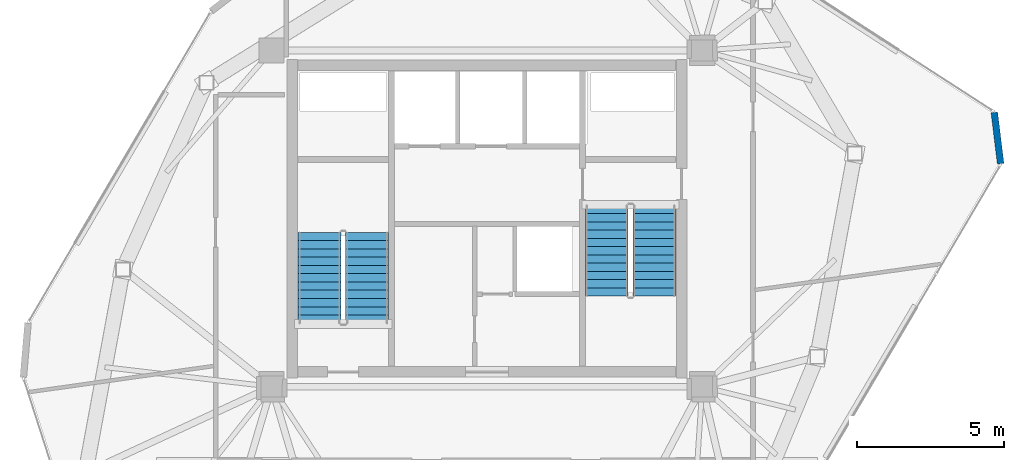
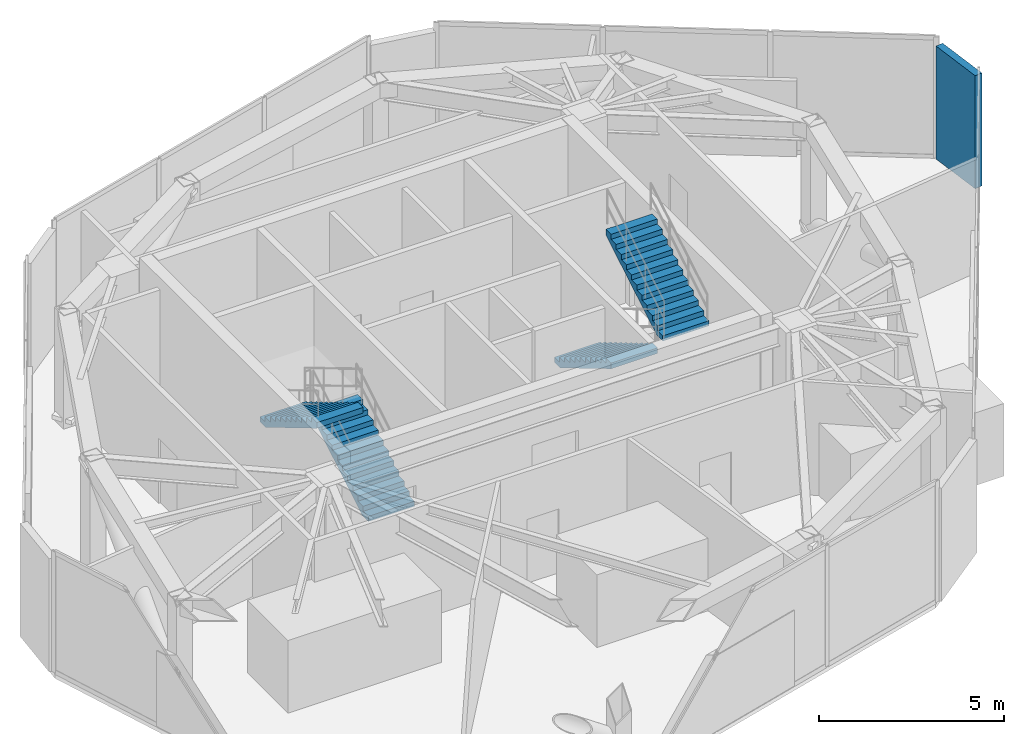
# One storey, part 17 of 19: 4 stair flights, 1 wall, 2 elements without a shape of their own.
"""IFC4 building model written with IfcOpenShell, lengths in metres."""

from ifc_helpers import new_model, si_unit, direction, frame, frame_2d, origin, place, context, subcontext, project, spatial, polyline, rectangle, outline, extrude, material, layer, layer_set, type_object, element, aggregate, save


model = new_model("IFC4")

# Units and contexts
model_context = context("Model", 3, precision=1e-05, world=origin(), true_north=direction((0.0, 1.0)))
body_context = subcontext(model_context, "Body", "Model", "MODEL_VIEW")
ifc_project = project(units=[si_unit("LENGTHUNIT", "METRE"), si_unit("AREAUNIT", "SQUARE_METRE"), si_unit("VOLUMEUNIT", "CUBIC_METRE"), si_unit("PLANEANGLEUNIT", "RADIAN"), si_unit("MASSUNIT", "GRAM", prefix="KILO")], contexts=[model_context])

# Site, building, storey
site_placement = place(None, origin())
site = spatial("IfcSite", under=ifc_project, at=site_placement, CompositionType="ELEMENT")
building_placement = place(site_placement, origin())
building = spatial("IfcBuilding", under=site, at=building_placement, Name="Talar Marvaseh", CompositionType="ELEMENT")
storey_placement = place(building_placement, frame((0.0, 0.0, 296.0)))
storey = spatial("IfcBuildingStorey", under=building, at=storey_placement, Name="L79", CompositionType="ELEMENT", Elevation=296.0)

# Wall
ifc_material_1 = material(Name="Precast concrete C45/55", Category="concrete")
ifc_layer_1 = layer(ifc_material_1, 0.22509765625)
ifc_layer_set_1 = layer_set([ifc_layer_1], Name="Precast concrete C45/55")
wall_type = type_object("IfcWallType", Name="Chamfered Hexagonal Corner Pier Wall Z4 225", PredefinedType="SOLIDWALL", material=ifc_layer_set_1)
wall_placement = place(storey_placement, frame((43.2021484375, 34.799072265625, 0.0), z_axis=(0.0, 0.0, 1.0), x_axis=(0.12318008734, -0.992384333856, 0.0)))
element("IfcWall", 1, at=wall_placement, inside=storey, type_object=wall_type, Name="L79 Chamfered Corner Limestone Pier 5", PredefinedType="SOLIDWALL", context=body_context, shape_type="SweptSolid", body=[
    extrude(rectangle(XDim=1.758056640625, YDim=0.22509765625, at=frame_2d((0.87890625, 0.0))), origin(), (0.0, 0.0, 1.0), 3.739990234375),
])

# Stair, stair flights
ifc_material_2 = material(Name="Concrete C40/50", Category="concrete")
stair_type = type_object("IfcStairType", Name="Reinforced Concrete High-Rise Exit Stair Type C", PredefinedType="HALF_TURN_STAIR", material=ifc_material_2)
stair_1_placement = place(storey_placement, origin())
stair_1 = element("IfcStair", 2, at=stair_1_placement, inside=storey, type_object=stair_type, Name="L79 Tower West Core Exit Stair", PredefinedType="HALF_TURN_STAIR")
ifc_layer_2 = layer(ifc_material_2, 0.159912109375)
ifc_layer_set_2 = layer_set([ifc_layer_2], Name="Concrete C40/50")
stair_flight_type = type_object("IfcStairFlightType", Name="Reinforced Concrete Straight Stair Flight 160", PredefinedType="STRAIGHT", material=ifc_layer_set_2)
stair_flight_1_placement = place(storey_placement, frame((21.93505859375, 27.64990234375, 0.0), z_axis=(0.0, 0.0, 1.0), x_axis=(0.0, 1.0, 0.0)))
stair_flight_1 = element("IfcStairFlight", 3, at=stair_flight_1_placement, type_object=stair_flight_type, Name="ST-1 flight 1", NumberOfRisers=12, NumberOfTreads=11, PredefinedType="STRAIGHT", RiserHeight=0.166666667, TreadLength=0.28, context=body_context, shape_type="SweptSolid", body=[
    extrude(outline(polyline([(0.0, 0.0), (0.0, 0.166748046875), (0.280029296875, 0.166748046875), (0.280029296875, 0.333251953125), (0.56005859375, 0.333251953125), (0.56005859375, 0.5), (0.840087890625, 0.5), (0.840087890625, 0.666748046875), (1.1201171875, 0.666748046875), (1.1201171875, 0.833251953125), (1.39990234375, 0.833251953125), (1.39990234375, 1.0), (1.679931640625, 1.0), (1.679931640625, 1.166748046875), (1.9599609375, 1.166748046875), (1.9599609375, 1.333251953125), (2.239990234375, 1.333251953125), (2.239990234375, 1.5), (2.52001953125, 1.5), (2.52001953125, 1.666748046875), (2.800048828125, 1.666748046875), (2.800048828125, 1.833251953125), (3.080078125, 1.833251953125), (3.080078125, 2.0), (3.080078125, 1.647216796875), (0.312744140625, 0.0), (0.0, 0.0)])), frame((0.0, 0.72509765625, 0.0), z_axis=(0.0, -1.0, 0.0), x_axis=(1.0, 0.0, 0.0)), (0.0, 0.0, 1.0), 1.449951171875),
])
stair_flight_2_placement = place(storey_placement, frame((20.324951171875, 30.72998046875, 2.0), z_axis=(0.0, 0.0, 1.0), x_axis=(0.0, -1.0, 0.0)))
stair_flight_2 = element("IfcStairFlight", 4, at=stair_flight_2_placement, type_object=stair_flight_type, Name="ST-1 flight 2", NumberOfRisers=12, NumberOfTreads=11, PredefinedType="STRAIGHT", RiserHeight=0.166666667, TreadLength=0.28, context=body_context, shape_type="SweptSolid", body=[
    extrude(outline(polyline([(0.0, 0.0), (0.0, 0.166748046875), (0.280029296875, 0.166748046875), (0.280029296875, 0.333251953125), (0.56005859375, 0.333251953125), (0.56005859375, 0.5), (0.840087890625, 0.5), (0.840087890625, 0.666748046875), (1.1201171875, 0.666748046875), (1.1201171875, 0.833251953125), (1.39990234375, 0.833251953125), (1.39990234375, 1.0), (1.679931640625, 1.0), (1.679931640625, 1.166748046875), (1.9599609375, 1.166748046875), (1.9599609375, 1.333251953125), (2.239990234375, 1.333251953125), (2.239990234375, 1.5), (2.52001953125, 1.5), (2.52001953125, 1.666748046875), (2.800048828125, 1.666748046875), (2.800048828125, 1.833251953125), (3.080078125, 1.833251953125), (3.080078125, 2.0), (3.080078125, 1.647216796875), (0.312744140625, 0.0), (0.0, 0.0)])), frame((0.0, 0.72509765625, 0.0), z_axis=(0.0, -1.0, 0.0), x_axis=(1.0, 0.0, 0.0)), (0.0, 0.0, 1.0), 1.449951171875),
])
aggregate(stair_1, [stair_flight_1, stair_flight_2])

stair_2_placement = place(storey_placement, origin())
stair_2 = element("IfcStair", 5, at=stair_2_placement, inside=storey, type_object=stair_type, Name="L79 Tower East Core Exit Stair", PredefinedType="HALF_TURN_STAIR")
stair_flight_3_placement = place(storey_placement, frame((30.06494140625, 31.64990234375, 0.0), z_axis=(0.0, 0.0, 1.0), x_axis=(0.0, -1.0, 0.0)))
stair_flight_3 = element("IfcStairFlight", 6, at=stair_flight_3_placement, type_object=stair_flight_type, Name="ST-2 flight 1", NumberOfRisers=12, NumberOfTreads=11, PredefinedType="STRAIGHT", RiserHeight=0.166666667, TreadLength=0.28, context=body_context, shape_type="SweptSolid", body=[
    extrude(outline(polyline([(0.0, 0.0), (0.0, 0.166748046875), (0.280029296875, 0.166748046875), (0.280029296875, 0.333251953125), (0.56005859375, 0.333251953125), (0.56005859375, 0.5), (0.840087890625, 0.5), (0.840087890625, 0.666748046875), (1.1201171875, 0.666748046875), (1.1201171875, 0.833251953125), (1.39990234375, 0.833251953125), (1.39990234375, 1.0), (1.679931640625, 1.0), (1.679931640625, 1.166748046875), (1.9599609375, 1.166748046875), (1.9599609375, 1.333251953125), (2.239990234375, 1.333251953125), (2.239990234375, 1.5), (2.52001953125, 1.5), (2.52001953125, 1.666748046875), (2.800048828125, 1.666748046875), (2.800048828125, 1.833251953125), (3.080078125, 1.833251953125), (3.080078125, 2.0), (3.080078125, 1.647216796875), (0.312744140625, 0.0), (0.0, 0.0)])), frame((0.0, 0.72509765625, 0.0), z_axis=(0.0, -1.0, 0.0), x_axis=(1.0, 0.0, 0.0)), (0.0, 0.0, 1.0), 1.449951171875),
])
stair_flight_4_placement = place(storey_placement, frame((31.675048828125, 28.570068359375, 2.0), z_axis=(0.0, 0.0, 1.0), x_axis=(0.0, 1.0, 0.0)))
stair_flight_4 = element("IfcStairFlight", 7, at=stair_flight_4_placement, type_object=stair_flight_type, Name="ST-2 flight 2", NumberOfRisers=12, NumberOfTreads=11, PredefinedType="STRAIGHT", RiserHeight=0.166666667, TreadLength=0.28, context=body_context, shape_type="SweptSolid", body=[
    extrude(outline(polyline([(0.0, 0.0), (0.0, 0.166748046875), (0.280029296875, 0.166748046875), (0.280029296875, 0.333251953125), (0.56005859375, 0.333251953125), (0.56005859375, 0.5), (0.840087890625, 0.5), (0.840087890625, 0.666748046875), (1.1201171875, 0.666748046875), (1.1201171875, 0.833251953125), (1.39990234375, 0.833251953125), (1.39990234375, 1.0), (1.679931640625, 1.0), (1.679931640625, 1.166748046875), (1.9599609375, 1.166748046875), (1.9599609375, 1.333251953125), (2.239990234375, 1.333251953125), (2.239990234375, 1.5), (2.52001953125, 1.5), (2.52001953125, 1.666748046875), (2.800048828125, 1.666748046875), (2.800048828125, 1.833251953125), (3.080078125, 1.833251953125), (3.080078125, 2.0), (3.080078125, 1.647216796875), (0.312744140625, 0.0), (0.0, 0.0)])), frame((0.0, 0.72509765625, 0.0), z_axis=(0.0, -1.0, 0.0), x_axis=(1.0, 0.0, 0.0)), (0.0, 0.0, 1.0), 1.449951171875),
])
aggregate(stair_2, [stair_flight_3, stair_flight_4])

save(model, "model.ifc")
